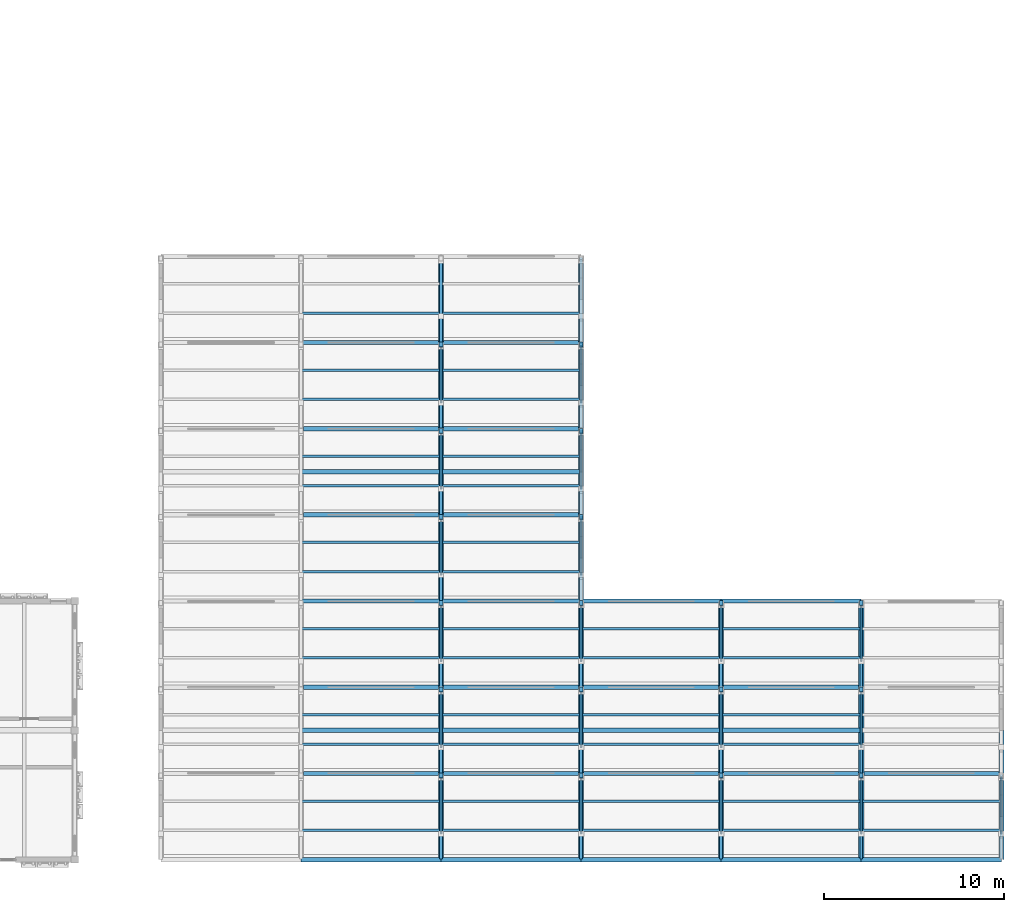
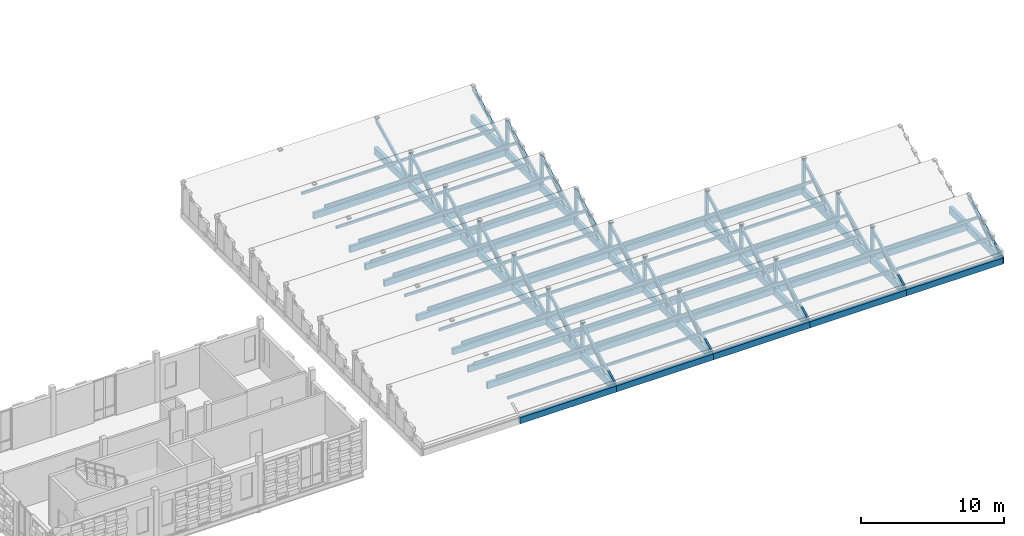
# One storey, part 29 of 81: 98 members, 45 beams.
"""IFC4 building model written with IfcOpenShell, lengths in metres."""

from ifc_helpers import new_model, si_unit, direction, frame, origin, origin_2d, place, context, subcontext, project, spatial, rectangle, hollow_circle, extrude, material, material_profile, profile_set, type_object, element, save


model = new_model("IFC4")

# Units and contexts
model_context = context("Model", 3, precision=1e-05, world=origin(), true_north=direction((0.0, 1.0)))
body_context = subcontext(model_context, "Body", "Model", "MODEL_VIEW")
ifc_project = project(units=[si_unit("LENGTHUNIT", "METRE"), si_unit("AREAUNIT", "SQUARE_METRE"), si_unit("VOLUMEUNIT", "CUBIC_METRE"), si_unit("PLANEANGLEUNIT", "RADIAN"), si_unit("MASSUNIT", "GRAM", prefix="KILO")], contexts=[model_context])

# Site, building, storey
site_placement = place(None, origin())
site = spatial("IfcSite", under=ifc_project, at=site_placement, CompositionType="ELEMENT")
building_placement = place(site_placement, origin())
building = spatial("IfcBuilding", under=site, at=building_placement, Name="Kahlenmark Community Centre", CompositionType="ELEMENT")
storey_placement = place(building_placement, frame((0.0, 0.0, 9.60009765625)))
storey = spatial("IfcBuildingStorey", under=building, at=storey_placement, Name="L02", CompositionType="ELEMENT", Elevation=9.60009765625)

# Beams
ifc_material_1 = material(Name="Glulam GL32h", Category="wood")
ifc_material_profile_1 = material_profile(ifc_material_1, rectangle(XDim=0.239990234375, YDim=0.52001953125, at=origin_2d()), Name="GL32h 240x520")
ifc_profile_set_1 = profile_set([ifc_material_profile_1], Name="Glulam GL32h")
beam_type_1 = type_object("IfcBeamType", Name="BT-BEAM-GL32h240x520", PredefinedType="BEAM", material=ifc_profile_set_1)
beam_1_placement = place(storey_placement, frame((129.5419921875, 13.60009765625, -0.260009765625), z_axis=(1.0, 0.0, 0.0), x_axis=(0.0, 1.0, 0.0)))
element("IfcBeam", 1, at=beam_1_placement, inside=storey, type_object=beam_type_1, Name="L02 beam BG-SAW520", PredefinedType="BEAM", context=body_context, shape_type="SweptSolid", body=[
    extrude(rectangle(XDim=0.239990234375, YDim=0.52001953125, at=origin_2d()), origin(), (0.0, 0.0, 1.0), 7.51611328125),
])
for number, where, z_axis, x_axis, name in (
    (2, (137.342041015625, 13.60009765625, -0.260009765625), (1.0, 0.0, 0.0), (0.0, 1.0, 0.0), "L02 beam BG-SAW520"),
    (3, (145.14208984375, 13.60009765625, -0.260009765625), (1.0, 0.0, 0.0), (0.0, 1.0, 0.0), "L02 beam BG-SAW520"),
):
    element("IfcBeam", number, at=place(storey_placement, frame(where, z_axis=z_axis, x_axis=x_axis)), inside=storey, type_object=beam_type_1, Name=name, PredefinedType="BEAM", context=body_context, shape_type="SweptSolid", body=[
        extrude(rectangle(XDim=0.239990234375, YDim=0.52001953125, at=origin_2d()), origin(), (0.0, 0.0, 1.0), 7.515869140625),
    ])
for number, where, z_axis, x_axis, name in (
    (4, (152.94189453125, 13.60009765625, -0.260009765625), (1.0, 0.0, 0.0), (0.0, 1.0, 0.0), "L02 beam BG-SAW520"),
    (5, (160.741943359375, 13.60009765625, -0.260009765625), (1.0, 0.0, 0.0), (0.0, 1.0, 0.0), "L02 beam BG-SAW520"),
):
    element("IfcBeam", number, at=place(storey_placement, frame(where, z_axis=z_axis, x_axis=x_axis)), inside=storey, type_object=beam_type_1, Name=name, PredefinedType="BEAM", context=body_context, shape_type="SweptSolid", body=[
        extrude(rectangle(XDim=0.239990234375, YDim=0.52001953125, at=origin_2d()), origin(), (0.0, 0.0, 1.0), 7.51611328125),
    ])
for number, where, z_axis, x_axis, name in (
    (6, (129.39990234375, 16.0, -0.260009765625), (1.0, 0.0, 0.0), (0.0, 1.0, 0.0), "L02 beam BG-SAW520"),
    (7, (137.199951171875, 16.0, -0.260009765625), (1.0, 0.0, 0.0), (0.0, 1.0, 0.0), "L02 beam BG-SAW520"),
    (8, (145.0, 16.0, -0.260009765625), (1.0, 0.0, 0.0), (0.0, 1.0, 0.0), "L02 beam BG-SAW520"),
    (9, (152.800048828125, 16.0, -0.260009765625), (1.0, 0.0, 0.0), (0.0, 1.0, 0.0), "L02 beam BG-SAW520"),
):
    element("IfcBeam", number, at=place(storey_placement, frame(where, z_axis=z_axis, x_axis=x_axis)), inside=storey, type_object=beam_type_1, Name=name, PredefinedType="BEAM", context=body_context, shape_type="SweptSolid", body=[
        extrude(rectangle(XDim=0.239990234375, YDim=0.52001953125, at=origin_2d()), origin(), (0.0, 0.0, 1.0), 7.800048828125),
    ])
beam_2_placement = place(storey_placement, frame((129.5419921875, 18.39990234375, -0.260009765625), z_axis=(1.0, 0.0, 0.0), x_axis=(0.0, 1.0, 0.0)))
element("IfcBeam", 10, at=beam_2_placement, inside=storey, type_object=beam_type_1, Name="L02 beam BG-SAW520", PredefinedType="BEAM", context=body_context, shape_type="SweptSolid", body=[
    extrude(rectangle(XDim=0.239990234375, YDim=0.52001953125, at=origin_2d()), origin(), (0.0, 0.0, 1.0), 7.51611328125),
])
for number, where, z_axis, x_axis, name in (
    (11, (137.342041015625, 18.39990234375, -0.260009765625), (1.0, 0.0, 0.0), (0.0, 1.0, 0.0), "L02 beam BG-SAW520"),
    (12, (145.14208984375, 18.39990234375, -0.260009765625), (1.0, 0.0, 0.0), (0.0, 1.0, 0.0), "L02 beam BG-SAW520"),
):
    element("IfcBeam", number, at=place(storey_placement, frame(where, z_axis=z_axis, x_axis=x_axis)), inside=storey, type_object=beam_type_1, Name=name, PredefinedType="BEAM", context=body_context, shape_type="SweptSolid", body=[
        extrude(rectangle(XDim=0.239990234375, YDim=0.52001953125, at=origin_2d()), origin(), (0.0, 0.0, 1.0), 7.515869140625),
    ])
beam_3_placement = place(storey_placement, frame((152.94189453125, 18.39990234375, -0.260009765625), z_axis=(1.0, 0.0, 0.0), x_axis=(0.0, 1.0, 0.0)))
element("IfcBeam", 13, at=beam_3_placement, inside=storey, type_object=beam_type_1, Name="L02 beam BG-SAW520", PredefinedType="BEAM", context=body_context, shape_type="SweptSolid", body=[
    extrude(rectangle(XDim=0.239990234375, YDim=0.52001953125, at=origin_2d()), origin(), (0.0, 0.0, 1.0), 7.51611328125),
])
for number, where, z_axis, x_axis, name in (
    (14, (129.39990234375, 23.199951171875, -0.260009765625), (1.0, 0.0, 0.0), (0.0, 1.0, 0.0), "L02 beam BG-SAW520"),
    (15, (137.199951171875, 23.199951171875, -0.260009765625), (1.0, 0.0, 0.0), (0.0, 1.0, 0.0), "L02 beam BG-SAW520"),
):
    element("IfcBeam", number, at=place(storey_placement, frame(where, z_axis=z_axis, x_axis=x_axis)), inside=storey, type_object=beam_type_1, Name=name, PredefinedType="BEAM", context=body_context, shape_type="SweptSolid", body=[
        extrude(rectangle(XDim=0.239990234375, YDim=0.52001953125, at=origin_2d()), origin(), (0.0, 0.0, 1.0), 7.800048828125),
    ])
beam_4_placement = place(storey_placement, frame((129.5419921875, 28.0, -0.260009765625), z_axis=(1.0, 0.0, 0.0), x_axis=(0.0, 1.0, 0.0)))
element("IfcBeam", 16, at=beam_4_placement, inside=storey, type_object=beam_type_1, Name="L02 beam BG-SAW520", PredefinedType="BEAM", context=body_context, shape_type="SweptSolid", body=[
    extrude(rectangle(XDim=0.239990234375, YDim=0.52001953125, at=origin_2d()), origin(), (0.0, 0.0, 1.0), 7.51611328125),
])
beam_5_placement = place(storey_placement, frame((137.342041015625, 28.0, -0.260009765625), z_axis=(1.0, 0.0, 0.0), x_axis=(0.0, 1.0, 0.0)))
element("IfcBeam", 17, at=beam_5_placement, inside=storey, type_object=beam_type_1, Name="L02 beam BG-SAW520", PredefinedType="BEAM", context=body_context, shape_type="SweptSolid", body=[
    extrude(rectangle(XDim=0.239990234375, YDim=0.52001953125, at=origin_2d()), origin(), (0.0, 0.0, 1.0), 7.515869140625),
])
for number, where, z_axis, x_axis, name in (
    (18, (129.39990234375, 30.39990234375, -0.260009765625), (1.0, 0.0, 0.0), (0.0, 1.0, 0.0), "L02 beam BG-SAW520"),
    (19, (137.199951171875, 30.39990234375, -0.260009765625), (1.0, 0.0, 0.0), (0.0, 1.0, 0.0), "L02 beam BG-SAW520"),
):
    element("IfcBeam", number, at=place(storey_placement, frame(where, z_axis=z_axis, x_axis=x_axis)), inside=storey, type_object=beam_type_1, Name=name, PredefinedType="BEAM", context=body_context, shape_type="SweptSolid", body=[
        extrude(rectangle(XDim=0.239990234375, YDim=0.52001953125, at=origin_2d()), origin(), (0.0, 0.0, 1.0), 7.800048828125),
    ])
beam_6_placement = place(storey_placement, frame((129.5419921875, 32.800048828125, -0.260009765625), z_axis=(1.0, 0.0, 0.0), x_axis=(0.0, 1.0, 0.0)))
element("IfcBeam", 20, at=beam_6_placement, inside=storey, type_object=beam_type_1, Name="L02 beam BG-SAW520", PredefinedType="BEAM", context=body_context, shape_type="SweptSolid", body=[
    extrude(rectangle(XDim=0.239990234375, YDim=0.52001953125, at=origin_2d()), origin(), (0.0, 0.0, 1.0), 7.51611328125),
])
beam_7_placement = place(storey_placement, frame((137.342041015625, 32.800048828125, -0.260009765625), z_axis=(1.0, 0.0, 0.0), x_axis=(0.0, 1.0, 0.0)))
element("IfcBeam", 21, at=beam_7_placement, inside=storey, type_object=beam_type_1, Name="L02 beam BG-SAW520", PredefinedType="BEAM", context=body_context, shape_type="SweptSolid", body=[
    extrude(rectangle(XDim=0.239990234375, YDim=0.52001953125, at=origin_2d()), origin(), (0.0, 0.0, 1.0), 7.515869140625),
])
for number, where, z_axis, x_axis, name in (
    (22, (129.39990234375, 37.60009765625, -0.260009765625), (1.0, 0.0, 0.0), (0.0, 1.0, 0.0), "L02 beam BG-SAW520"),
    (23, (137.199951171875, 37.60009765625, -0.260009765625), (1.0, 0.0, 0.0), (0.0, 1.0, 0.0), "L02 beam BG-SAW520"),
):
    element("IfcBeam", number, at=place(storey_placement, frame(where, z_axis=z_axis, x_axis=x_axis)), inside=storey, type_object=beam_type_1, Name=name, PredefinedType="BEAM", context=body_context, shape_type="SweptSolid", body=[
        extrude(rectangle(XDim=0.239990234375, YDim=0.52001953125, at=origin_2d()), origin(), (0.0, 0.0, 1.0), 7.800048828125),
    ])
ifc_material_profile_2 = material_profile(ifc_material_1, rectangle(XDim=0.280029296875, YDim=0.60009765625, at=origin_2d()), Name="GL32h 280x600")
ifc_profile_set_2 = profile_set([ifc_material_profile_2], Name="Glulam GL32h")
beam_type_2 = type_object("IfcBeamType", Name="BT-BEAM-GL32h280x600", PredefinedType="BEAM", material=ifc_profile_set_2)
for number, where, z_axis, x_axis, name in (
    (24, (137.199951171875, 8.800048828125, -0.300048828125), (0.0, 1.0, 0.0), (-1.0, 0.0, 0.0), "L02 beam BG-SAW600"),
    (25, (137.199951171875, 16.0, -0.300048828125), (0.0, 1.0, 0.0), (-1.0, 0.0, 0.0), "L02 beam BG-SAW600"),
    (26, (137.199951171875, 23.199951171875, -0.300048828125), (0.0, 1.0, 0.0), (-1.0, 0.0, 0.0), "L02 beam BG-SAW600"),
):
    element("IfcBeam", number, at=place(storey_placement, frame(where, z_axis=z_axis, x_axis=x_axis)), inside=storey, type_object=beam_type_2, Name=name, PredefinedType="BEAM", context=body_context, shape_type="SweptSolid", body=[
        extrude(rectangle(XDim=0.280029296875, YDim=0.60009765625, at=origin_2d()), origin(), (0.0, 0.0, 1.0), 7.199951171875),
    ])
beam_8_placement = place(storey_placement, frame((137.199951171875, 30.39990234375, -0.300048828125), z_axis=(0.0, 1.0, 0.0), x_axis=(-1.0, 0.0, 0.0)))
element("IfcBeam", 27, at=beam_8_placement, inside=storey, type_object=beam_type_2, Name="L02 beam BG-SAW600", PredefinedType="BEAM", context=body_context, shape_type="SweptSolid", body=[
    extrude(rectangle(XDim=0.280029296875, YDim=0.60009765625, at=origin_2d()), origin(), (0.0, 0.0, 1.0), 7.2001953125),
])
beam_9_placement = place(storey_placement, frame((137.199951171875, 37.60009765625, -0.300048828125), z_axis=(0.0, 1.0, 0.0), x_axis=(-1.0, 0.0, 0.0)))
element("IfcBeam", 28, at=beam_9_placement, inside=storey, type_object=beam_type_2, Name="L02 beam BG-SAW600", PredefinedType="BEAM", context=body_context, shape_type="SweptSolid", body=[
    extrude(rectangle(XDim=0.280029296875, YDim=0.60009765625, at=origin_2d()), origin(), (0.0, 0.0, 1.0), 4.7998046875),
])
for number, where, z_axis, x_axis, name in (
    (29, (145.0, 8.800048828125, -0.300048828125), (0.0, 1.0, 0.0), (-1.0, 0.0, 0.0), "L02 beam BG-SAW600"),
    (30, (145.0, 16.0, -0.300048828125), (0.0, 1.0, 0.0), (-1.0, 0.0, 0.0), "L02 beam BG-SAW600"),
    (31, (145.0, 23.199951171875, -0.300048828125), (0.0, 1.0, 0.0), (-1.0, 0.0, 0.0), "L02 beam BG-SAW600"),
):
    element("IfcBeam", number, at=place(storey_placement, frame(where, z_axis=z_axis, x_axis=x_axis)), inside=storey, type_object=beam_type_2, Name=name, PredefinedType="BEAM", context=body_context, shape_type="SweptSolid", body=[
        extrude(rectangle(XDim=0.280029296875, YDim=0.60009765625, at=origin_2d()), origin(), (0.0, 0.0, 1.0), 7.199951171875),
    ])
beam_10_placement = place(storey_placement, frame((145.0, 30.39990234375, -0.300048828125), z_axis=(0.0, 1.0, 0.0), x_axis=(-1.0, 0.0, 0.0)))
element("IfcBeam", 32, at=beam_10_placement, inside=storey, type_object=beam_type_2, Name="L02 beam BG-SAW600", PredefinedType="BEAM", context=body_context, shape_type="SweptSolid", body=[
    extrude(rectangle(XDim=0.280029296875, YDim=0.60009765625, at=origin_2d()), origin(), (0.0, 0.0, 1.0), 7.2001953125),
])
beam_11_placement = place(storey_placement, frame((145.0, 37.60009765625, -0.300048828125), z_axis=(0.0, 1.0, 0.0), x_axis=(-1.0, 0.0, 0.0)))
element("IfcBeam", 33, at=beam_11_placement, inside=storey, type_object=beam_type_2, Name="L02 beam BG-SAW600", PredefinedType="BEAM", context=body_context, shape_type="SweptSolid", body=[
    extrude(rectangle(XDim=0.280029296875, YDim=0.60009765625, at=origin_2d()), origin(), (0.0, 0.0, 1.0), 4.7998046875),
])
for number, where, z_axis, x_axis, name in (
    (34, (152.800048828125, 8.800048828125, -0.300048828125), (0.0, 1.0, 0.0), (-1.0, 0.0, 0.0), "L02 beam BG-SAW600"),
    (35, (152.800048828125, 16.0, -0.300048828125), (0.0, 1.0, 0.0), (-1.0, 0.0, 0.0), "L02 beam BG-SAW600"),
    (36, (160.60009765625, 8.800048828125, -0.300048828125), (0.0, 1.0, 0.0), (-1.0, 0.0, 0.0), "L02 beam BG-SAW600"),
    (37, (160.60009765625, 16.0, -0.300048828125), (0.0, 1.0, 0.0), (-1.0, 0.0, 0.0), "L02 beam BG-SAW600"),
    (38, (168.39990234375, 8.800048828125, -0.300048828125), (0.0, 1.0, 0.0), (-1.0, 0.0, 0.0), "L02 beam BG-SAW600"),
):
    element("IfcBeam", number, at=place(storey_placement, frame(where, z_axis=z_axis, x_axis=x_axis)), inside=storey, type_object=beam_type_2, Name=name, PredefinedType="BEAM", context=body_context, shape_type="SweptSolid", body=[
        extrude(rectangle(XDim=0.280029296875, YDim=0.60009765625, at=origin_2d()), origin(), (0.0, 0.0, 1.0), 7.199951171875),
    ])
ifc_material_profile_3 = material_profile(ifc_material_1, rectangle(XDim=0.239990234375, YDim=0.52001953125, at=origin_2d()), Name="GL32h 240x520")
ifc_profile_set_3 = profile_set([ifc_material_profile_3], Name="Glulam GL32h")
beam_type_3 = type_object("IfcBeamType", Name="BT-SPANDREL-GL32h240x520", PredefinedType="SPANDREL", material=ifc_profile_set_3)
for number, where, z_axis, x_axis, name in (
    (39, (129.39990234375, 8.800048828125, -0.260009765625), (1.0, 0.0, 0.0), (0.0, 1.0, 0.0), "L02 spandrel SP-SAW520"),
    (40, (137.199951171875, 8.800048828125, -0.260009765625), (1.0, 0.0, 0.0), (0.0, 1.0, 0.0), "L02 spandrel SP-SAW520"),
    (41, (145.0, 8.800048828125, -0.260009765625), (1.0, 0.0, 0.0), (0.0, 1.0, 0.0), "L02 spandrel SP-SAW520"),
    (42, (152.800048828125, 8.800048828125, -0.260009765625), (1.0, 0.0, 0.0), (0.0, 1.0, 0.0), "L02 spandrel SP-SAW520"),
):
    element("IfcBeam", number, at=place(storey_placement, frame(where, z_axis=z_axis, x_axis=x_axis)), inside=storey, type_object=beam_type_3, Name=name, PredefinedType="SPANDREL", context=body_context, shape_type="SweptSolid", body=[
        extrude(rectangle(XDim=0.239990234375, YDim=0.52001953125, at=origin_2d()), origin(), (0.0, 0.0, 1.0), 7.800048828125),
    ])
beam_12_placement = place(storey_placement, frame((160.60009765625, 8.800048828125, -0.260009765625), z_axis=(1.0, 0.0, 0.0), x_axis=(0.0, 1.0, 0.0)))
element("IfcBeam", 43, at=beam_12_placement, inside=storey, type_object=beam_type_3, Name="L02 spandrel SP-SAW520", PredefinedType="SPANDREL", context=body_context, shape_type="SweptSolid", body=[
    extrude(rectangle(XDim=0.239990234375, YDim=0.52001953125, at=origin_2d()), origin(), (0.0, 0.0, 1.0), 7.7998046875),
])
for number, where, z_axis, x_axis, name in (
    (44, (145.0, 23.199951171875, -0.260009765625), (1.0, 0.0, 0.0), (0.0, 1.0, 0.0), "L02 spandrel SP-SAW520"),
    (45, (152.800048828125, 23.199951171875, -0.260009765625), (1.0, 0.0, 0.0), (0.0, 1.0, 0.0), "L02 spandrel SP-SAW520"),
):
    element("IfcBeam", number, at=place(storey_placement, frame(where, z_axis=z_axis, x_axis=x_axis)), inside=storey, type_object=beam_type_3, Name=name, PredefinedType="SPANDREL", context=body_context, shape_type="SweptSolid", body=[
        extrude(rectangle(XDim=0.239990234375, YDim=0.52001953125, at=origin_2d()), origin(), (0.0, 0.0, 1.0), 7.800048828125),
    ])

# Members
ifc_material_2 = material(Name="Steel S355", Category="steel")
ifc_material_profile_4 = material_profile(ifc_material_2, hollow_circle(Radius=0.06982421875, WallThickness=0.00634765625, at=origin_2d()), Name="CHS 139.7x6.3")
ifc_profile_set_4 = profile_set([ifc_material_profile_4], Name="Steel S355")
member_type_1 = type_object("IfcMemberType", Name="MT-BRACE-CHS139.7x6.3", PredefinedType="BRACE", material=ifc_profile_set_4)
for number, where, z_axis, x_axis, name in (
    (46, (137.199951171875, 13.360107421875, 2.219970703125), (0.0, -0.816400900817, -0.577485557521), (1.0, 0.0, 0.0), "L02 brace SAW-DIAG"),
    (47, (145.0, 13.360107421875, 2.219970703125), (0.0, -0.816400900817, -0.577485557521), (1.0, 0.0, 0.0), "L02 brace SAW-DIAG"),
    (48, (152.800048828125, 13.360107421875, 2.219970703125), (0.0, -0.816400900817, -0.577485557521), (1.0, 0.0, 0.0), "L02 brace SAW-DIAG"),
    (49, (160.60009765625, 13.360107421875, 2.219970703125), (0.0, -0.816400900817, -0.577485557521), (1.0, 0.0, 0.0), "L02 brace SAW-DIAG"),
    (50, (168.39990234375, 13.360107421875, 2.219970703125), (0.0, -0.816400900817, -0.577485557521), (1.0, 0.0, 0.0), "L02 brace SAW-DIAG"),
):
    element("IfcMember", number, at=place(storey_placement, frame(where, z_axis=z_axis, x_axis=x_axis)), inside=storey, type_object=member_type_1, Name=name, PredefinedType="BRACE", context=body_context, shape_type="SweptSolid", body=[
        extrude(hollow_circle(Radius=0.06982421875, WallThickness=0.00634765625, at=origin_2d()), origin(), (0.0, 0.0, 1.0), 3.8095703125),
    ])
for number, where, z_axis, x_axis, name in (
    (51, (137.199951171875, 18.159912109375, 2.219970703125), (0.0, -0.816379526882, -0.577515773021), (1.0, 0.0, 0.0), "L02 brace SAW-DIAG"),
    (52, (145.0, 18.159912109375, 2.219970703125), (0.0, -0.816379526882, -0.577515773021), (1.0, 0.0, 0.0), "L02 brace SAW-DIAG"),
    (53, (152.800048828125, 18.159912109375, 2.219970703125), (0.0, -0.816379526882, -0.577515773021), (1.0, 0.0, 0.0), "L02 brace SAW-DIAG"),
    (54, (160.60009765625, 18.159912109375, 2.219970703125), (0.0, -0.816379526882, -0.577515773021), (1.0, 0.0, 0.0), "L02 brace SAW-DIAG"),
    (55, (137.199951171875, 22.9599609375, 2.219970703125), (0.0, -0.816379526882, -0.577515773021), (1.0, 0.0, 0.0), "L02 brace SAW-DIAG"),
    (56, (145.0, 22.9599609375, 2.219970703125), (0.0, -0.816379526882, -0.577515773021), (1.0, 0.0, 0.0), "L02 brace SAW-DIAG"),
    (57, (152.800048828125, 22.9599609375, 2.219970703125), (0.0, -0.816379526882, -0.577515773021), (1.0, 0.0, 0.0), "L02 brace SAW-DIAG"),
    (58, (160.60009765625, 22.9599609375, 2.219970703125), (0.0, -0.816379526882, -0.577515773021), (1.0, 0.0, 0.0), "L02 brace SAW-DIAG"),
):
    element("IfcMember", number, at=place(storey_placement, frame(where, z_axis=z_axis, x_axis=x_axis)), inside=storey, type_object=member_type_1, Name=name, PredefinedType="BRACE", context=body_context, shape_type="SweptSolid", body=[
        extrude(hollow_circle(Radius=0.06982421875, WallThickness=0.00634765625, at=origin_2d()), origin(), (0.0, 0.0, 1.0), 3.809326171875),
    ])
for number, where, z_axis, x_axis, name in (
    (59, (137.199951171875, 27.760009765625, 2.219970703125), (0.0, -0.816400900817, -0.577485557521), (1.0, 0.0, 0.0), "L02 brace SAW-DIAG"),
    (60, (145.0, 27.760009765625, 2.219970703125), (0.0, -0.816400900817, -0.577485557521), (1.0, 0.0, 0.0), "L02 brace SAW-DIAG"),
    (61, (137.199951171875, 32.56005859375, 2.219970703125), (0.0, -0.816400900817, -0.577485557521), (1.0, 0.0, 0.0), "L02 brace SAW-DIAG"),
    (62, (145.0, 32.56005859375, 2.219970703125), (0.0, -0.816400900817, -0.577485557521), (1.0, 0.0, 0.0), "L02 brace SAW-DIAG"),
    (63, (137.199951171875, 37.360107421875, 2.219970703125), (0.0, -0.816400900817, -0.577485557521), (1.0, 0.0, 0.0), "L02 brace SAW-DIAG"),
    (64, (145.0, 37.360107421875, 2.219970703125), (0.0, -0.816400900817, -0.577485557521), (1.0, 0.0, 0.0), "L02 brace SAW-DIAG"),
):
    element("IfcMember", number, at=place(storey_placement, frame(where, z_axis=z_axis, x_axis=x_axis)), inside=storey, type_object=member_type_1, Name=name, PredefinedType="BRACE", context=body_context, shape_type="SweptSolid", body=[
        extrude(hollow_circle(Radius=0.06982421875, WallThickness=0.00634765625, at=origin_2d()), origin(), (0.0, 0.0, 1.0), 3.8095703125),
    ])
ifc_material_3 = material(Name="Glulam GL28h", Category="wood")
ifc_material_profile_5 = material_profile(ifc_material_3, rectangle(XDim=0.139892578125, YDim=0.219970703125, at=origin_2d()), Name="GL28h 140x220")
ifc_profile_set_5 = profile_set([ifc_material_profile_5], Name="Glulam GL28h")
member_type_2 = type_object("IfcMemberType", Name="MT-PURLIN-GL28h140x220", PredefinedType="PURLIN", material=ifc_profile_set_5)
for number, where, z_axis, x_axis, name in (
    (65, (129.39990234375, 10.431884765625, 0.642333984375), (1.0, 0.0, 0.0), (0.0, 1.0, 0.0), "L02 purlin PR-SAW220"),
    (66, (129.39990234375, 12.06396484375, 1.444091796875), (1.0, 0.0, 0.0), (0.0, 1.0, 0.0), "L02 purlin PR-SAW220"),
    (67, (137.199951171875, 10.431884765625, 0.642333984375), (1.0, 0.0, 0.0), (0.0, 1.0, 0.0), "L02 purlin PR-SAW220"),
    (68, (137.199951171875, 12.06396484375, 1.444091796875), (1.0, 0.0, 0.0), (0.0, 1.0, 0.0), "L02 purlin PR-SAW220"),
    (69, (145.0, 10.431884765625, 0.642333984375), (1.0, 0.0, 0.0), (0.0, 1.0, 0.0), "L02 purlin PR-SAW220"),
    (70, (145.0, 12.06396484375, 1.444091796875), (1.0, 0.0, 0.0), (0.0, 1.0, 0.0), "L02 purlin PR-SAW220"),
    (71, (152.800048828125, 10.431884765625, 0.642333984375), (1.0, 0.0, 0.0), (0.0, 1.0, 0.0), "L02 purlin PR-SAW220"),
    (72, (152.800048828125, 12.06396484375, 1.444091796875), (1.0, 0.0, 0.0), (0.0, 1.0, 0.0), "L02 purlin PR-SAW220"),
):
    element("IfcMember", number, at=place(storey_placement, frame(where, z_axis=z_axis, x_axis=x_axis)), inside=storey, type_object=member_type_2, Name=name, PredefinedType="PURLIN", context=body_context, shape_type="SweptSolid", body=[
        extrude(rectangle(XDim=0.139892578125, YDim=0.219970703125, at=origin_2d()), origin(), (0.0, 0.0, 1.0), 7.800048828125),
    ])
for number, where, z_axis, x_axis, name in (
    (73, (160.60009765625, 10.431884765625, 0.642333984375), (1.0, 0.0, 0.0), (0.0, 1.0, 0.0), "L02 purlin PR-SAW220"),
    (74, (160.60009765625, 12.06396484375, 1.444091796875), (1.0, 0.0, 0.0), (0.0, 1.0, 0.0), "L02 purlin PR-SAW220"),
):
    element("IfcMember", number, at=place(storey_placement, frame(where, z_axis=z_axis, x_axis=x_axis)), inside=storey, type_object=member_type_2, Name=name, PredefinedType="PURLIN", context=body_context, shape_type="SweptSolid", body=[
        extrude(rectangle(XDim=0.139892578125, YDim=0.219970703125, at=origin_2d()), origin(), (0.0, 0.0, 1.0), 7.7998046875),
    ])
for number, where, z_axis, x_axis, name in (
    (75, (129.39990234375, 15.23193359375, 0.642333984375), (1.0, 0.0, 0.0), (0.0, 1.0, 0.0), "L02 purlin PR-SAW220"),
    (76, (129.39990234375, 16.864013671875, 1.444091796875), (1.0, 0.0, 0.0), (0.0, 1.0, 0.0), "L02 purlin PR-SAW220"),
    (77, (137.199951171875, 15.23193359375, 0.642333984375), (1.0, 0.0, 0.0), (0.0, 1.0, 0.0), "L02 purlin PR-SAW220"),
    (78, (137.199951171875, 16.864013671875, 1.444091796875), (1.0, 0.0, 0.0), (0.0, 1.0, 0.0), "L02 purlin PR-SAW220"),
    (79, (145.0, 15.23193359375, 0.642333984375), (1.0, 0.0, 0.0), (0.0, 1.0, 0.0), "L02 purlin PR-SAW220"),
    (80, (145.0, 16.864013671875, 1.444091796875), (1.0, 0.0, 0.0), (0.0, 1.0, 0.0), "L02 purlin PR-SAW220"),
    (81, (152.800048828125, 15.23193359375, 0.642333984375), (1.0, 0.0, 0.0), (0.0, 1.0, 0.0), "L02 purlin PR-SAW220"),
    (82, (152.800048828125, 16.864013671875, 1.444091796875), (1.0, 0.0, 0.0), (0.0, 1.0, 0.0), "L02 purlin PR-SAW220"),
    (83, (129.39990234375, 20.031982421875, 0.642333984375), (1.0, 0.0, 0.0), (0.0, 1.0, 0.0), "L02 purlin PR-SAW220"),
    (84, (129.39990234375, 21.6640625, 1.444091796875), (1.0, 0.0, 0.0), (0.0, 1.0, 0.0), "L02 purlin PR-SAW220"),
    (85, (137.199951171875, 20.031982421875, 0.642333984375), (1.0, 0.0, 0.0), (0.0, 1.0, 0.0), "L02 purlin PR-SAW220"),
    (86, (137.199951171875, 21.6640625, 1.444091796875), (1.0, 0.0, 0.0), (0.0, 1.0, 0.0), "L02 purlin PR-SAW220"),
    (87, (145.0, 20.031982421875, 0.642333984375), (1.0, 0.0, 0.0), (0.0, 1.0, 0.0), "L02 purlin PR-SAW220"),
    (88, (145.0, 21.6640625, 1.444091796875), (1.0, 0.0, 0.0), (0.0, 1.0, 0.0), "L02 purlin PR-SAW220"),
    (89, (152.800048828125, 20.031982421875, 0.642333984375), (1.0, 0.0, 0.0), (0.0, 1.0, 0.0), "L02 purlin PR-SAW220"),
    (90, (152.800048828125, 21.6640625, 1.444091796875), (1.0, 0.0, 0.0), (0.0, 1.0, 0.0), "L02 purlin PR-SAW220"),
    (91, (129.39990234375, 24.83203125, 0.642333984375), (1.0, 0.0, 0.0), (0.0, 1.0, 0.0), "L02 purlin PR-SAW220"),
    (92, (129.39990234375, 26.464111328125, 1.444091796875), (1.0, 0.0, 0.0), (0.0, 1.0, 0.0), "L02 purlin PR-SAW220"),
    (93, (137.199951171875, 24.83203125, 0.642333984375), (1.0, 0.0, 0.0), (0.0, 1.0, 0.0), "L02 purlin PR-SAW220"),
    (94, (137.199951171875, 26.464111328125, 1.444091796875), (1.0, 0.0, 0.0), (0.0, 1.0, 0.0), "L02 purlin PR-SAW220"),
    (95, (129.39990234375, 29.632080078125, 0.642333984375), (1.0, 0.0, 0.0), (0.0, 1.0, 0.0), "L02 purlin PR-SAW220"),
    (96, (129.39990234375, 31.263916015625, 1.444091796875), (1.0, 0.0, 0.0), (0.0, 1.0, 0.0), "L02 purlin PR-SAW220"),
    (97, (137.199951171875, 29.632080078125, 0.642333984375), (1.0, 0.0, 0.0), (0.0, 1.0, 0.0), "L02 purlin PR-SAW220"),
    (98, (137.199951171875, 31.263916015625, 1.444091796875), (1.0, 0.0, 0.0), (0.0, 1.0, 0.0), "L02 purlin PR-SAW220"),
    (99, (129.39990234375, 34.431884765625, 0.642333984375), (1.0, 0.0, 0.0), (0.0, 1.0, 0.0), "L02 purlin PR-SAW220"),
    (100, (129.39990234375, 36.06396484375, 1.444091796875), (1.0, 0.0, 0.0), (0.0, 1.0, 0.0), "L02 purlin PR-SAW220"),
    (101, (137.199951171875, 34.431884765625, 0.642333984375), (1.0, 0.0, 0.0), (0.0, 1.0, 0.0), "L02 purlin PR-SAW220"),
    (102, (137.199951171875, 36.06396484375, 1.444091796875), (1.0, 0.0, 0.0), (0.0, 1.0, 0.0), "L02 purlin PR-SAW220"),
    (103, (129.39990234375, 39.23193359375, 0.642333984375), (1.0, 0.0, 0.0), (0.0, 1.0, 0.0), "L02 purlin PR-SAW220"),
    (104, (137.199951171875, 39.23193359375, 0.642333984375), (1.0, 0.0, 0.0), (0.0, 1.0, 0.0), "L02 purlin PR-SAW220"),
):
    element("IfcMember", number, at=place(storey_placement, frame(where, z_axis=z_axis, x_axis=x_axis)), inside=storey, type_object=member_type_2, Name=name, PredefinedType="PURLIN", context=body_context, shape_type="SweptSolid", body=[
        extrude(rectangle(XDim=0.139892578125, YDim=0.219970703125, at=origin_2d()), origin(), (0.0, 0.0, 1.0), 7.800048828125),
    ])
ifc_material_profile_6 = material_profile(ifc_material_3, rectangle(XDim=0.159912109375, YDim=0.239990234375, at=origin_2d()), Name="GL28h 160x240")
ifc_profile_set_6 = profile_set([ifc_material_profile_6], Name="Glulam GL28h")
member_type_3 = type_object("IfcMemberType", Name="MT-RAFTER-GL28h160x240", PredefinedType="RAFTER", material=ifc_profile_set_6)
for number, where, z_axis, x_axis, name in (
    (105, (137.199951171875, 8.8798828125, 0.02001953125), (0.0, 0.897549034846, 0.440914651658), (-1.0, 0.0, 0.0), "L02 rafter SAW-RAF"),
    (106, (145.0, 8.8798828125, 0.02001953125), (0.0, 0.897549034846, 0.440914651658), (-1.0, 0.0, 0.0), "L02 rafter SAW-RAF"),
    (107, (152.800048828125, 8.8798828125, 0.02001953125), (0.0, 0.897549034846, 0.440914651658), (-1.0, 0.0, 0.0), "L02 rafter SAW-RAF"),
    (108, (160.60009765625, 8.8798828125, 0.02001953125), (0.0, 0.897549034846, 0.440914651658), (-1.0, 0.0, 0.0), "L02 rafter SAW-RAF"),
    (109, (168.39990234375, 8.8798828125, 0.02001953125), (0.0, 0.897549034846, 0.440914651658), (-1.0, 0.0, 0.0), "L02 rafter SAW-RAF"),
    (110, (137.199951171875, 13.679931640625, 0.02001953125), (0.0, 0.897549034846, 0.440914651658), (-1.0, 0.0, 0.0), "L02 rafter SAW-RAF"),
    (111, (145.0, 13.679931640625, 0.02001953125), (0.0, 0.897549034846, 0.440914651658), (-1.0, 0.0, 0.0), "L02 rafter SAW-RAF"),
    (112, (152.800048828125, 13.679931640625, 0.02001953125), (0.0, 0.897549034846, 0.440914651658), (-1.0, 0.0, 0.0), "L02 rafter SAW-RAF"),
    (113, (160.60009765625, 13.679931640625, 0.02001953125), (0.0, 0.897549034846, 0.440914651658), (-1.0, 0.0, 0.0), "L02 rafter SAW-RAF"),
    (114, (137.199951171875, 18.47998046875, 0.02001953125), (0.0, 0.897549034846, 0.440914651658), (-1.0, 0.0, 0.0), "L02 rafter SAW-RAF"),
    (115, (145.0, 18.47998046875, 0.02001953125), (0.0, 0.897549034846, 0.440914651658), (-1.0, 0.0, 0.0), "L02 rafter SAW-RAF"),
    (116, (152.800048828125, 18.47998046875, 0.02001953125), (0.0, 0.897549034846, 0.440914651658), (-1.0, 0.0, 0.0), "L02 rafter SAW-RAF"),
    (117, (160.60009765625, 18.47998046875, 0.02001953125), (0.0, 0.897549034846, 0.440914651658), (-1.0, 0.0, 0.0), "L02 rafter SAW-RAF"),
):
    element("IfcMember", number, at=place(storey_placement, frame(where, z_axis=z_axis, x_axis=x_axis)), inside=storey, type_object=member_type_3, Name=name, PredefinedType="RAFTER", context=body_context, shape_type="SweptSolid", body=[
        extrude(rectangle(XDim=0.159912109375, YDim=0.239990234375, at=origin_2d()), origin(), (0.0, 0.0, 1.0), 5.125244140625),
    ])
for number, where, z_axis, x_axis, name in (
    (118, (137.199951171875, 23.280029296875, 0.02001953125), (0.0, 0.897539773628, 0.440933503779), (-1.0, 0.0, 0.0), "L02 rafter SAW-RAF"),
    (119, (145.0, 23.280029296875, 0.02001953125), (0.0, 0.897539773628, 0.440933503779), (-1.0, 0.0, 0.0), "L02 rafter SAW-RAF"),
    (120, (137.199951171875, 28.080078125, 0.02001953125), (0.0, 0.897539773628, 0.440933503779), (-1.0, 0.0, 0.0), "L02 rafter SAW-RAF"),
    (121, (145.0, 28.080078125, 0.02001953125), (0.0, 0.897539773628, 0.440933503779), (-1.0, 0.0, 0.0), "L02 rafter SAW-RAF"),
):
    element("IfcMember", number, at=place(storey_placement, frame(where, z_axis=z_axis, x_axis=x_axis)), inside=storey, type_object=member_type_3, Name=name, PredefinedType="RAFTER", context=body_context, shape_type="SweptSolid", body=[
        extrude(rectangle(XDim=0.159912109375, YDim=0.239990234375, at=origin_2d()), origin(), (0.0, 0.0, 1.0), 5.125),
    ])
for number, where, z_axis, x_axis, name in (
    (122, (137.199951171875, 32.8798828125, 0.02001953125), (0.0, 0.897549034846, 0.440914651658), (-1.0, 0.0, 0.0), "L02 rafter SAW-RAF"),
    (123, (145.0, 32.8798828125, 0.02001953125), (0.0, 0.897549034846, 0.440914651658), (-1.0, 0.0, 0.0), "L02 rafter SAW-RAF"),
    (124, (137.199951171875, 37.679931640625, 0.02001953125), (0.0, 0.897549034846, 0.440914651658), (-1.0, 0.0, 0.0), "L02 rafter SAW-RAF"),
    (125, (145.0, 37.679931640625, 0.02001953125), (0.0, 0.897549034846, 0.440914651658), (-1.0, 0.0, 0.0), "L02 rafter SAW-RAF"),
):
    element("IfcMember", number, at=place(storey_placement, frame(where, z_axis=z_axis, x_axis=x_axis)), inside=storey, type_object=member_type_3, Name=name, PredefinedType="RAFTER", context=body_context, shape_type="SweptSolid", body=[
        extrude(rectangle(XDim=0.159912109375, YDim=0.239990234375, at=origin_2d()), origin(), (0.0, 0.0, 1.0), 5.125244140625),
    ])
ifc_material_profile_7 = material_profile(ifc_material_3, rectangle(XDim=0.199951171875, YDim=0.280029296875, at=origin_2d()), Name="GL28h 200x280")
ifc_profile_set_7 = profile_set([ifc_material_profile_7], Name="Glulam GL28h")
member_type_4 = type_object("IfcMemberType", Name="MT-STRUT-GL28h200x280", PredefinedType="STRUT", material=ifc_profile_set_7)
for number, where, z_axis, x_axis, name in (
    (126, (137.199951171875, 13.47998046875, 0.0), (0.0, 0.0, 1.0), (1.0, 0.0, 0.0), "L02 strut SAW-POST"),
    (127, (145.0, 13.47998046875, 0.0), (0.0, 0.0, 1.0), (1.0, 0.0, 0.0), "L02 strut SAW-POST"),
    (128, (152.800048828125, 13.47998046875, 0.0), (0.0, 0.0, 1.0), (1.0, 0.0, 0.0), "L02 strut SAW-POST"),
    (129, (160.60009765625, 13.47998046875, 0.0), (0.0, 0.0, 1.0), (1.0, 0.0, 0.0), "L02 strut SAW-POST"),
    (130, (137.199951171875, 18.280029296875, 0.0), (0.0, 0.0, 1.0), (1.0, 0.0, 0.0), "L02 strut SAW-POST"),
    (131, (145.0, 18.280029296875, 0.0), (0.0, 0.0, 1.0), (1.0, 0.0, 0.0), "L02 strut SAW-POST"),
    (132, (152.800048828125, 18.280029296875, 0.0), (0.0, 0.0, 1.0), (1.0, 0.0, 0.0), "L02 strut SAW-POST"),
    (133, (160.60009765625, 18.280029296875, 0.0), (0.0, 0.0, 1.0), (1.0, 0.0, 0.0), "L02 strut SAW-POST"),
    (134, (137.199951171875, 23.080078125, 0.0), (0.0, 0.0, 1.0), (1.0, 0.0, 0.0), "L02 strut SAW-POST"),
    (135, (145.0, 23.080078125, 0.0), (0.0, 0.0, 1.0), (1.0, 0.0, 0.0), "L02 strut SAW-POST"),
    (136, (152.800048828125, 23.080078125, 0.0), (0.0, 0.0, 1.0), (1.0, 0.0, 0.0), "L02 strut SAW-POST"),
    (137, (160.60009765625, 23.080078125, 0.0), (0.0, 0.0, 1.0), (1.0, 0.0, 0.0), "L02 strut SAW-POST"),
    (138, (137.199951171875, 27.8798828125, 0.0), (0.0, 0.0, 1.0), (1.0, 0.0, 0.0), "L02 strut SAW-POST"),
    (139, (145.0, 27.8798828125, 0.0), (0.0, 0.0, 1.0), (1.0, 0.0, 0.0), "L02 strut SAW-POST"),
    (140, (137.199951171875, 32.679931640625, 0.0), (0.0, 0.0, 1.0), (1.0, 0.0, 0.0), "L02 strut SAW-POST"),
    (141, (145.0, 32.679931640625, 0.0), (0.0, 0.0, 1.0), (1.0, 0.0, 0.0), "L02 strut SAW-POST"),
    (142, (137.199951171875, 37.47998046875, 0.0), (0.0, 0.0, 1.0), (1.0, 0.0, 0.0), "L02 strut SAW-POST"),
    (143, (145.0, 37.47998046875, 0.0), (0.0, 0.0, 1.0), (1.0, 0.0, 0.0), "L02 strut SAW-POST"),
):
    element("IfcMember", number, at=place(storey_placement, frame(where, z_axis=z_axis, x_axis=x_axis)), inside=storey, type_object=member_type_4, Name=name, PredefinedType="STRUT", context=body_context, shape_type="SweptSolid", body=[
        extrude(rectangle(XDim=0.199951171875, YDim=0.280029296875, at=origin_2d()), origin(), (0.0, 0.0, 1.0), 2.419921875),
    ])

save(model, "model.ifc")
